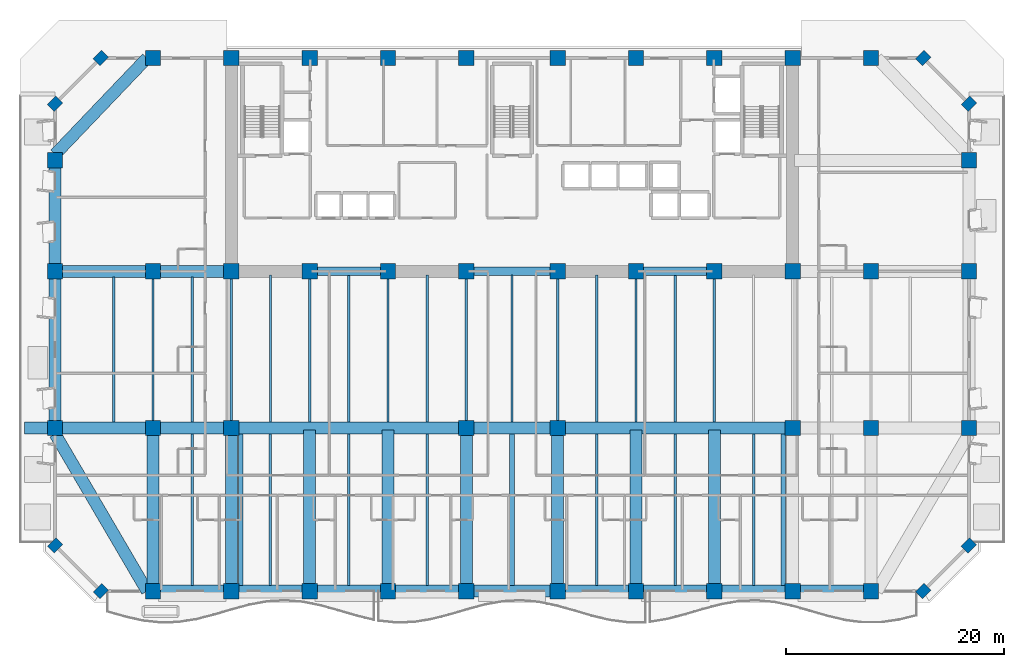
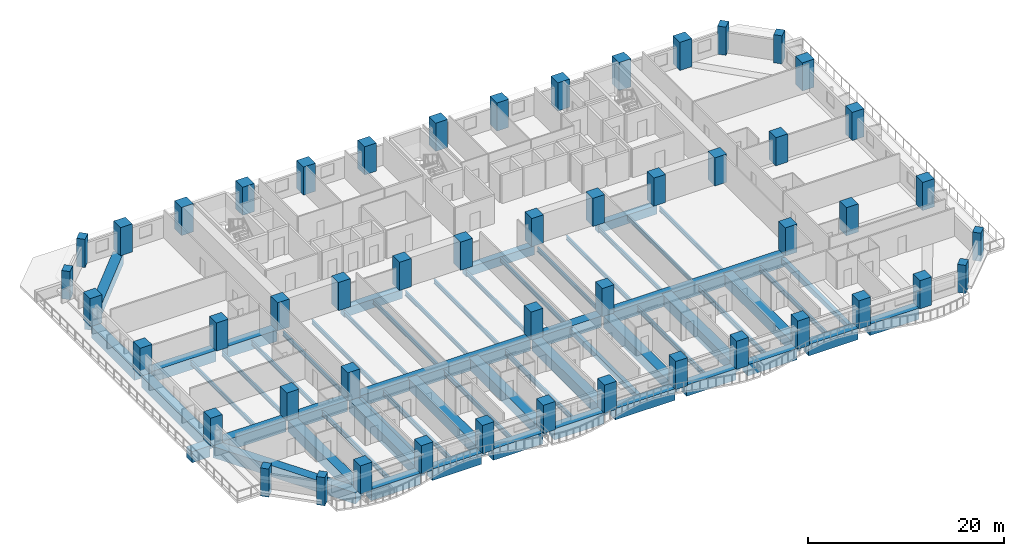
# One storey, part 1 of 17: 58 beams, 50 columns.
"""IFC4 building model written with IfcOpenShell, lengths in metres."""

import ifcopenshell
import ifcopenshell.guid

model = None  # the IFC model being written
_history = None  # IfcOwnerHistory: only IFC2X3 demands one
_inside = {}  # id of a spatial element -> (the spatial element, [elements in it])
_under = {}  # id of a project, library or spatial element -> (it, [spatial elements below it])
_declared = {}  # id of a project -> (the project, [libraries it declares])
_typed = {}  # id of a type object -> (the type object, [elements of that type])
_made_of = {}  # id of a material, layer set ... -> (it, [elements and type objects made of it])


def new_model(schema):
    """Start an empty IFC model of exactly this schema.

    Asked for "IFC4X3", IfcOpenShell would pick the latest addendum, in which some entities
    have other attributes; the version numbers below select the first issue.
    IFC2X3 requires an IfcOwnerHistory on every rooted entity: one is made here for all.
    """
    global model, _history
    if schema == "IFC4X3":
        model = ifcopenshell.file(schema_version=(4, 3, 0, 0))
    else:
        model = ifcopenshell.file(schema=schema)
    _inside.clear()
    _under.clear()
    _declared.clear()
    _typed.clear()
    _made_of.clear()
    _history = None
    if model.schema == "IFC2X3":
        org = make("IfcOrganization", Name="unknown")
        user = make(
            "IfcPersonAndOrganization",
            ThePerson=make("IfcPerson", FamilyName="unknown"),
            TheOrganization=org,
        )
        app = make(
            "IfcApplication",
            ApplicationDeveloper=org,
            Version="unknown",
            ApplicationFullName="unknown",
            ApplicationIdentifier="unknown",
        )
        _history = make(
            "IfcOwnerHistory",
            OwningUser=user,
            OwningApplication=app,
            ChangeAction="ADDED",
            CreationDate=0,
        )
    return model


def make(cls, **values):
    """One entity of the class cls with the attributes given. An attribute that is None is left unset."""
    return model.create_entity(
        cls, **{name: value for name, value in values.items() if value is not None}
    )


def rooted(cls, **values):
    """An entity with a GlobalId (a new one), such as an element, a storey or a relation."""
    return make(cls, GlobalId=ifcopenshell.guid.new(), OwnerHistory=_history, **values)


def si_unit(unit_type, name, prefix=None):
    """IfcSIUnit, for example si_unit("LENGTHUNIT", "METRE", prefix="MILLI")."""
    return make("IfcSIUnit", UnitType=unit_type, Prefix=prefix, Name=name)


def assignment(units):
    """IfcUnitAssignment: the units of a project."""
    return None if units is None else make("IfcUnitAssignment", Units=units)


def point(xyz):
    """IfcCartesianPoint."""
    return None if xyz is None else make("IfcCartesianPoint", Coordinates=xyz)


def direction(xyz):
    """IfcDirection."""
    return None if xyz is None else make("IfcDirection", DirectionRatios=xyz)


def frame(location, z_axis=None, x_axis=None):
    """IfcAxis2Placement3D, a coordinate frame: its origin and axes. An axis left out is left unset."""
    return make(
        "IfcAxis2Placement3D",
        Location=point(location),
        Axis=direction(z_axis),
        RefDirection=direction(x_axis),
    )


def frame_2d(location, x_axis=None):
    """IfcAxis2Placement2D, a coordinate frame in the plane: its origin and x axis."""
    return make(
        "IfcAxis2Placement2D", Location=point(location), RefDirection=direction(x_axis)
    )


def origin():
    """The frame at (0, 0, 0) with its axes left unset."""
    return frame((0.0, 0.0, 0.0))


def origin_2d():
    """The frame at (0, 0) in the plane with its x axis left unset."""
    return frame_2d((0.0, 0.0))


def place(relative_to, where):
    """IfcLocalPlacement: puts the frame where relative to a parent placement (None: the world)."""
    return make(
        "IfcLocalPlacement", PlacementRelTo=relative_to, RelativePlacement=where
    )


def context(
    kind, dimensions, precision=None, world=None, true_north=None, identifier=None
):
    """IfcGeometricRepresentationContext, for example the 3D "Model" context."""
    return make(
        "IfcGeometricRepresentationContext",
        ContextIdentifier=identifier,
        ContextType=kind,
        CoordinateSpaceDimension=dimensions,
        Precision=precision,
        WorldCoordinateSystem=world,
        TrueNorth=true_north,
    )


def subcontext(parent, identifier, kind, view, scale=None):
    """IfcGeometricRepresentationSubContext, for example "Body" below "Model"."""
    return make(
        "IfcGeometricRepresentationSubContext",
        ContextIdentifier=identifier,
        ContextType=kind,
        ParentContext=parent,
        TargetScale=scale,
        TargetView=view,
    )


def project(units=None, contexts=None):
    """IfcProject with its units and contexts."""
    return rooted(
        "IfcProject",
        Name="project",
        RepresentationContexts=contexts,
        UnitsInContext=assignment(units),
    )


def spatial(cls, under=None, at=None, **own):
    """A site, building, storey or space (cls), placed at a placement, below another one or the project."""
    s = rooted(cls, ObjectPlacement=at, **own)
    if under is not None:
        _under.setdefault(under.id(), (under, []))[1].append(s)
    return s


def profile(cls, at=None, kind="AREA", **sizes):
    """A parametric profile (cls). Its sizes go by their IFC names, for example OverallWidth=200.0."""
    return make(cls, ProfileType=kind, Position=at, **sizes)


def rectangle(**sizes):
    """IfcRectangleProfileDef."""
    return profile("IfcRectangleProfileDef", **sizes)


def i_section(**sizes):
    """IfcIShapeProfileDef."""
    return profile("IfcIShapeProfileDef", **sizes)


def extrude(swept, where, along, depth):
    """IfcExtrudedAreaSolid: the profile swept, set in the frame where, extruded along a direction by depth."""
    return make(
        "IfcExtrudedAreaSolid",
        SweptArea=swept,
        Position=where,
        ExtrudedDirection=direction(along),
        Depth=depth,
    )


def shape(context_of_items, identifier, shape_type, items):
    """IfcShapeRepresentation: the items that make up one representation, for example the "Body"."""
    return make(
        "IfcShapeRepresentation",
        ContextOfItems=context_of_items,
        RepresentationIdentifier=identifier,
        RepresentationType=shape_type,
        Items=items,
    )


def material(Name=None, Category=None):
    """IfcMaterial."""
    return make("IfcMaterial", Name=Name, Category=Category)


def material_profile(
    of_material, cross_section, Name=None, Category=None, Priority=None
):
    """IfcMaterialProfile: a cross section and its material."""
    return make(
        "IfcMaterialProfile",
        Name=Name,
        Material=of_material,
        Profile=cross_section,
        Priority=Priority,
        Category=Category,
    )


def profile_set(profiles, Name=None, composite=None):
    """IfcMaterialProfileSet."""
    return make(
        "IfcMaterialProfileSet",
        Name=Name,
        MaterialProfiles=profiles,
        CompositeProfile=composite,
    )


def made_of(thing, what):
    """Note that an element or type object is made of a material, layer set ...; save() writes the relation."""
    if what is not None:
        _made_of.setdefault(what.id(), (what, []))[1].append(thing)
    return thing


def type_object(cls, material=None, **own):
    """A type object (cls), such as IfcWallType, which elements share."""
    return made_of(rooted(cls, **own), material)


def element(
    cls,
    number,
    at=None,
    inside=None,
    cuts=None,
    type_object=None,
    material=None,
    context=None,
    identifier="Body",
    shape_type=None,
    held_by="IfcProductDefinitionShape",
    body=None,
    shapes=None,
    **own,
):
    """One element of the class cls, such as IfcWall. Its Tag is "e" and its number.

    at: its placement. inside: the storey or other place that contains it. cuts: it is an
    opening in that element (IfcRelVoidsElement). A single representation is given by context,
    identifier, shape_type and body (its items); several are given by shapes. held_by: the class
    of the entity that holds the representations. save() writes the other relations.
    """
    e = rooted(cls, Tag="e%d" % number, ObjectPlacement=at, **own)
    if body is not None:
        shapes = [shape(context, identifier, shape_type, body)]
    if shapes is not None:
        e.Representation = make(held_by, Representations=shapes)
    if inside is not None:
        _inside.setdefault(inside.id(), (inside, []))[1].append(e)
    if cuts is not None:
        rooted(
            "IfcRelVoidsElement", RelatingBuildingElement=cuts, RelatedOpeningElement=e
        )
    if type_object is not None:
        _typed.setdefault(type_object.id(), (type_object, []))[1].append(e)
    return made_of(e, material)


def aggregate(whole, parts):
    """IfcRelAggregates: a whole, such as a stair, and the parts it consists of."""
    return rooted("IfcRelAggregates", RelatingObject=whole, RelatedObjects=parts)


def save(model, path):
    """Write the relations noted so far, then the file.

    IfcRelAggregates (storeys below a building ...), IfcRelContainedInSpatialStructure (elements
    in a storey), IfcRelDefinesByType, IfcRelAssociatesMaterial and IfcRelDeclares: one each for
    every whole, place, type object, material and project.
    """
    for whole, parts in _under.values():
        aggregate(whole, parts)
    for where, things in _inside.values():
        rooted(
            "IfcRelContainedInSpatialStructure",
            RelatedElements=things,
            RelatingStructure=where,
        )
    for kind, things in _typed.values():
        rooted("IfcRelDefinesByType", RelatedObjects=things, RelatingType=kind)
    for what, things in _made_of.values():
        rooted("IfcRelAssociatesMaterial", RelatedObjects=things, RelatingMaterial=what)
    for by, libraries in _declared.values():
        rooted("IfcRelDeclares", RelatingContext=by, RelatedDefinitions=libraries)
    model.write(path)


model = new_model("IFC4")

# Units and contexts
model_context = context("Model", 3, precision=1e-05, world=origin(), true_north=direction((0.0, 1.0)))
body_context = subcontext(model_context, "Body", "Model", "MODEL_VIEW")
ifc_project = project(units=[si_unit("LENGTHUNIT", "METRE"), si_unit("AREAUNIT", "SQUARE_METRE"), si_unit("VOLUMEUNIT", "CUBIC_METRE"), si_unit("PLANEANGLEUNIT", "RADIAN"), si_unit("MASSUNIT", "GRAM", prefix="KILO")], contexts=[model_context])

# Site, building, storey
site_placement = place(None, origin())
site = spatial("IfcSite", under=ifc_project, at=site_placement, CompositionType="ELEMENT")
building_placement = place(site_placement, origin())
building = spatial("IfcBuilding", under=site, at=building_placement, Name="Kaelvorn Grand Hotel", CompositionType="ELEMENT")
storey_placement = place(building_placement, frame((0.0, 0.0, 31.39990234375)))
storey = spatial("IfcBuildingStorey", under=building, at=storey_placement, Name="L05", CompositionType="ELEMENT", Elevation=31.39990234375)

# Columns
ifc_material_1 = material(Name="Concrete C80/95", Category="concrete")
ifc_material_profile_1 = material_profile(ifc_material_1, rectangle(XDim=1.10009765625, YDim=0.89990234375, at=origin_2d()), Name="RC PILASTER 1100x900")
ifc_profile_set_1 = profile_set([ifc_material_profile_1], Name="Concrete C80/95")
column_type_1 = type_object("IfcColumnType", Name="COL-PIL-1100x900-C80", PredefinedType="PILASTER", material=ifc_profile_set_1)
for number, where, z_axis, x_axis, name in (
    (1, (4.199951171875, 0.0, 0.0), (0.0, 0.0, 1.0), (0.707106781187, 0.707106781187, 0.0), "L05 Structural Column CH-01"),
    (2, (79.800048828125, 0.0, 0.0), (0.0, 0.0, 1.0), (0.707106781187, 0.707106781187, 0.0), "L05 Structural Column CH-02"),
    (3, (84.0, 4.199951171875, 0.0), (0.0, 0.0, 1.0), (0.707106781187, 0.707106781187, 0.0), "L05 Structural Column CH-03"),
    (4, (84.0, 44.800048828125, 0.0), (0.0, 0.0, 1.0), (0.707106781187, 0.707106781187, 0.0), "L05 Structural Column CH-04"),
    (5, (79.800048828125, 49.0, 0.0), (0.0, 0.0, 1.0), (0.707106781187, 0.707106781187, 0.0), "L05 Structural Column CH-05"),
    (6, (4.199951171875, 49.0, 0.0), (0.0, 0.0, 1.0), (0.707106781187, 0.707106781187, 0.0), "L05 Structural Column CH-06"),
    (7, (0.0, 44.800048828125, 0.0), (0.0, 0.0, 1.0), (0.707106781187, 0.707106781187, 0.0), "L05 Structural Column CH-07"),
    (8, (0.0, 4.199951171875, 0.0), (0.0, 0.0, 1.0), (0.707106781187, 0.707106781187, 0.0), "L05 Structural Column CH-08"),
):
    element("IfcColumn", number, at=place(storey_placement, frame(where, z_axis=z_axis, x_axis=x_axis)), inside=storey, type_object=column_type_1, Name=name, PredefinedType="PILASTER", context=body_context, shape_type="SweptSolid", body=[
        extrude(rectangle(XDim=1.10009765625, YDim=0.89990234375, at=origin_2d()), origin(), (0.0, 0.0, 1.0), 3.510009765625),
    ])
ifc_material_profile_2 = material_profile(ifc_material_1, rectangle(XDim=1.39990234375, YDim=1.39990234375, at=origin_2d()), Name="RC COL 1400x1400")
ifc_profile_set_2 = profile_set([ifc_material_profile_2], Name="Concrete C80/95")
column_type_2 = type_object("IfcColumnType", Name="COL-RC-1400-C80", PredefinedType="COLUMN", material=ifc_profile_set_2)
for number, where, z_axis, x_axis, name in (
    (9, (9.0, 0.0, 0.0), (0.0, 0.0, 1.0), (1.0, 0.0, 0.0), "L05 Structural Column S-01"),
    (10, (16.199951171875, 0.0, 0.0), (0.0, 0.0, 1.0), (1.0, 0.0, 0.0), "L05 Structural Column S-02"),
    (11, (23.39990234375, 0.0, 0.0), (0.0, 0.0, 1.0), (1.0, 0.0, 0.0), "L05 Structural Column S-03"),
    (12, (30.60009765625, 0.0, 0.0), (0.0, 0.0, 1.0), (1.0, 0.0, 0.0), "L05 Structural Column S-04"),
    (13, (37.800048828125, 0.0, 0.0), (0.0, 0.0, 1.0), (1.0, 0.0, 0.0), "L05 Structural Column S-05"),
    (14, (46.199951171875, 0.0, 0.0), (0.0, 0.0, 1.0), (1.0, 0.0, 0.0), "L05 Structural Column S-06"),
    (15, (53.39990234375, 0.0, 0.0), (0.0, 0.0, 1.0), (1.0, 0.0, 0.0), "L05 Structural Column S-07"),
    (16, (60.60009765625, 0.0, 0.0), (0.0, 0.0, 1.0), (1.0, 0.0, 0.0), "L05 Structural Column S-08"),
    (17, (67.800048828125, 0.0, 0.0), (0.0, 0.0, 1.0), (1.0, 0.0, 0.0), "L05 Structural Column S-09"),
    (18, (75.0, 0.0, 0.0), (0.0, 0.0, 1.0), (1.0, 0.0, 0.0), "L05 Structural Column S-10"),
    (19, (0.0, 15.0, 0.0), (0.0, 0.0, 1.0), (1.0, 0.0, 0.0), "L05 Structural Column W-01"),
    (20, (84.0, 15.0, 0.0), (0.0, 0.0, 1.0), (1.0, 0.0, 0.0), "L05 Structural Column E-01"),
    (21, (0.0, 29.39990234375, 0.0), (0.0, 0.0, 1.0), (1.0, 0.0, 0.0), "L05 Structural Column W-02"),
    (22, (84.0, 29.39990234375, 0.0), (0.0, 0.0, 1.0), (1.0, 0.0, 0.0), "L05 Structural Column E-02"),
    (23, (0.0, 39.60009765625, 0.0), (0.0, 0.0, 1.0), (1.0, 0.0, 0.0), "L05 Structural Column W-03"),
    (24, (84.0, 39.60009765625, 0.0), (0.0, 0.0, 1.0), (1.0, 0.0, 0.0), "L05 Structural Column E-03"),
    (25, (9.0, 15.0, 0.0), (0.0, 0.0, 1.0), (1.0, 0.0, 0.0), "L05 Structural Column M-01"),
    (26, (16.199951171875, 15.0, 0.0), (0.0, 0.0, 1.0), (1.0, 0.0, 0.0), "L05 Structural Column M-02"),
    (27, (37.800048828125, 15.0, 0.0), (0.0, 0.0, 1.0), (1.0, 0.0, 0.0), "L05 Structural Column M-03"),
    (28, (46.199951171875, 15.0, 0.0), (0.0, 0.0, 1.0), (1.0, 0.0, 0.0), "L05 Structural Column M-04"),
    (29, (67.800048828125, 15.0, 0.0), (0.0, 0.0, 1.0), (1.0, 0.0, 0.0), "L05 Structural Column M-05"),
    (30, (75.0, 15.0, 0.0), (0.0, 0.0, 1.0), (1.0, 0.0, 0.0), "L05 Structural Column M-06"),
    (31, (9.0, 29.39990234375, 0.0), (0.0, 0.0, 1.0), (1.0, 0.0, 0.0), "L05 Structural Column CR1-01"),
    (32, (9.0, 49.0, 0.0), (0.0, 0.0, 1.0), (1.0, 0.0, 0.0), "L05 Structural Column CR2-01"),
    (33, (16.199951171875, 29.39990234375, 0.0), (0.0, 0.0, 1.0), (1.0, 0.0, 0.0), "L05 Structural Column CR1-02"),
    (34, (16.199951171875, 49.0, 0.0), (0.0, 0.0, 1.0), (1.0, 0.0, 0.0), "L05 Structural Column CR2-02"),
    (35, (23.39990234375, 29.39990234375, 0.0), (0.0, 0.0, 1.0), (1.0, 0.0, 0.0), "L05 Structural Column CR1-03"),
    (36, (23.39990234375, 49.0, 0.0), (0.0, 0.0, 1.0), (1.0, 0.0, 0.0), "L05 Structural Column CR2-03"),
    (37, (30.60009765625, 29.39990234375, 0.0), (0.0, 0.0, 1.0), (1.0, 0.0, 0.0), "L05 Structural Column CR1-04"),
    (38, (30.60009765625, 49.0, 0.0), (0.0, 0.0, 1.0), (1.0, 0.0, 0.0), "L05 Structural Column CR2-04"),
    (39, (37.800048828125, 29.39990234375, 0.0), (0.0, 0.0, 1.0), (1.0, 0.0, 0.0), "L05 Structural Column CR1-05"),
    (40, (37.800048828125, 49.0, 0.0), (0.0, 0.0, 1.0), (1.0, 0.0, 0.0), "L05 Structural Column CR2-05"),
    (41, (46.199951171875, 29.39990234375, 0.0), (0.0, 0.0, 1.0), (1.0, 0.0, 0.0), "L05 Structural Column CR1-06"),
    (42, (46.199951171875, 49.0, 0.0), (0.0, 0.0, 1.0), (1.0, 0.0, 0.0), "L05 Structural Column CR2-06"),
    (43, (53.39990234375, 29.39990234375, 0.0), (0.0, 0.0, 1.0), (1.0, 0.0, 0.0), "L05 Structural Column CR1-07"),
    (44, (53.39990234375, 49.0, 0.0), (0.0, 0.0, 1.0), (1.0, 0.0, 0.0), "L05 Structural Column CR2-07"),
    (45, (60.60009765625, 29.39990234375, 0.0), (0.0, 0.0, 1.0), (1.0, 0.0, 0.0), "L05 Structural Column CR1-08"),
    (46, (60.60009765625, 49.0, 0.0), (0.0, 0.0, 1.0), (1.0, 0.0, 0.0), "L05 Structural Column CR2-08"),
    (47, (67.800048828125, 29.39990234375, 0.0), (0.0, 0.0, 1.0), (1.0, 0.0, 0.0), "L05 Structural Column CR1-09"),
    (48, (67.800048828125, 49.0, 0.0), (0.0, 0.0, 1.0), (1.0, 0.0, 0.0), "L05 Structural Column CR2-09"),
    (49, (75.0, 29.39990234375, 0.0), (0.0, 0.0, 1.0), (1.0, 0.0, 0.0), "L05 Structural Column CR1-10"),
    (50, (75.0, 49.0, 0.0), (0.0, 0.0, 1.0), (1.0, 0.0, 0.0), "L05 Structural Column CR2-10"),
):
    element("IfcColumn", number, at=place(storey_placement, frame(where, z_axis=z_axis, x_axis=x_axis)), inside=storey, type_object=column_type_2, Name=name, PredefinedType="COLUMN", context=body_context, shape_type="SweptSolid", body=[
        extrude(rectangle(XDim=1.39990234375, YDim=1.39990234375, at=origin_2d()), origin(), (0.0, 0.0, 1.0), 3.510009765625),
    ])

# Beams
ifc_material_2 = material(Name="Steel S355", Category="steel")
ifc_material_profile_3 = material_profile(ifc_material_2, i_section(OverallWidth=0.209228515625, OverallDepth=0.533203125, WebThickness=0.010009765625, FlangeThickness=0.015625, FilletRadius=0.0126953125, at=origin_2d()), Name="UB 533x210x92")
ifc_profile_set_3 = profile_set([ifc_material_profile_3], Name="Steel S355")
beam_type_1 = type_object("IfcBeamType", Name="BM-J-UB533-S355", PredefinedType="JOIST", material=ifc_profile_set_3)
beam_1_placement = place(storey_placement, frame((5.39990234375, 15.534912109375, -0.50634765625), z_axis=(0.0, 1.0, 0.0), x_axis=(-1.0, 0.0, 0.0)))
element("IfcBeam", 51, at=beam_1_placement, inside=storey, type_object=beam_type_1, Name="L05 Composite Floor Joist JM-02", PredefinedType="JOIST", context=body_context, shape_type="SweptSolid", body=[
    extrude(i_section(OverallWidth=0.209228515625, OverallDepth=0.533203125, WebThickness=0.010009765625, FlangeThickness=0.015625, FilletRadius=0.0126953125, at=origin_2d()), origin(), (0.0, 0.0, 1.0), 13.330078125),
])
beam_2_placement = place(storey_placement, frame((9.0, 15.68505859375, -0.50634765625), z_axis=(0.0, 1.0, 0.0), x_axis=(-1.0, 0.0, 0.0)))
element("IfcBeam", 52, at=beam_2_placement, inside=storey, type_object=beam_type_1, Name="L05 Composite Floor Joist JM-03", PredefinedType="JOIST", context=body_context, shape_type="SweptSolid", body=[
    extrude(i_section(OverallWidth=0.209228515625, OverallDepth=0.533203125, WebThickness=0.010009765625, FlangeThickness=0.015625, FilletRadius=0.0126953125, at=origin_2d()), origin(), (0.0, 0.0, 1.0), 13.030029296875),
])
beam_3_placement = place(storey_placement, frame((12.60009765625, 15.534912109375, -0.50634765625), z_axis=(0.0, 1.0, 0.0), x_axis=(-1.0, 0.0, 0.0)))
element("IfcBeam", 53, at=beam_3_placement, inside=storey, type_object=beam_type_1, Name="L05 Composite Floor Joist JM-04", PredefinedType="JOIST", context=body_context, shape_type="SweptSolid", body=[
    extrude(i_section(OverallWidth=0.209228515625, OverallDepth=0.533203125, WebThickness=0.010009765625, FlangeThickness=0.015625, FilletRadius=0.0126953125, at=origin_2d()), origin(), (0.0, 0.0, 1.0), 13.330078125),
])
beam_4_placement = place(storey_placement, frame((16.199951171875, 15.68505859375, -0.50634765625), z_axis=(0.0, 1.0, 0.0), x_axis=(-1.0, 0.0, 0.0)))
element("IfcBeam", 54, at=beam_4_placement, inside=storey, type_object=beam_type_1, Name="L05 Composite Floor Joist JM-05", PredefinedType="JOIST", context=body_context, shape_type="SweptSolid", body=[
    extrude(i_section(OverallWidth=0.209228515625, OverallDepth=0.533203125, WebThickness=0.010009765625, FlangeThickness=0.015625, FilletRadius=0.0126953125, at=origin_2d()), origin(), (0.0, 0.0, 1.0), 13.030029296875),
])
beam_5_placement = place(storey_placement, frame((19.800048828125, 15.534912109375, -0.50634765625), z_axis=(0.0, 1.0, 0.0), x_axis=(-1.0, 0.0, 0.0)))
element("IfcBeam", 55, at=beam_5_placement, inside=storey, type_object=beam_type_1, Name="L05 Composite Floor Joist JM-06", PredefinedType="JOIST", context=body_context, shape_type="SweptSolid", body=[
    extrude(i_section(OverallWidth=0.209228515625, OverallDepth=0.533203125, WebThickness=0.010009765625, FlangeThickness=0.015625, FilletRadius=0.0126953125, at=origin_2d()), origin(), (0.0, 0.0, 1.0), 13.525146484375),
])
beam_6_placement = place(storey_placement, frame((23.39990234375, 15.534912109375, -0.50634765625), z_axis=(0.0, 1.0, 0.0), x_axis=(-1.0, 0.0, 0.0)))
element("IfcBeam", 56, at=beam_6_placement, inside=storey, type_object=beam_type_1, Name="L05 Composite Floor Joist JM-07", PredefinedType="JOIST", context=body_context, shape_type="SweptSolid", body=[
    extrude(i_section(OverallWidth=0.209228515625, OverallDepth=0.533203125, WebThickness=0.010009765625, FlangeThickness=0.015625, FilletRadius=0.0126953125, at=origin_2d()), origin(), (0.0, 0.0, 1.0), 13.18017578125),
])
beam_7_placement = place(storey_placement, frame((27.0, 15.534912109375, -0.50634765625), z_axis=(0.0, 1.0, 0.0), x_axis=(-1.0, 0.0, 0.0)))
element("IfcBeam", 57, at=beam_7_placement, inside=storey, type_object=beam_type_1, Name="L05 Composite Floor Joist JM-08", PredefinedType="JOIST", context=body_context, shape_type="SweptSolid", body=[
    extrude(i_section(OverallWidth=0.209228515625, OverallDepth=0.533203125, WebThickness=0.010009765625, FlangeThickness=0.015625, FilletRadius=0.0126953125, at=origin_2d()), origin(), (0.0, 0.0, 1.0), 13.525146484375),
])
beam_8_placement = place(storey_placement, frame((30.60009765625, 15.534912109375, -0.50634765625), z_axis=(0.0, 1.0, 0.0), x_axis=(-1.0, 0.0, 0.0)))
element("IfcBeam", 58, at=beam_8_placement, inside=storey, type_object=beam_type_1, Name="L05 Composite Floor Joist JM-09", PredefinedType="JOIST", context=body_context, shape_type="SweptSolid", body=[
    extrude(i_section(OverallWidth=0.209228515625, OverallDepth=0.533203125, WebThickness=0.010009765625, FlangeThickness=0.015625, FilletRadius=0.0126953125, at=origin_2d()), origin(), (0.0, 0.0, 1.0), 13.18017578125),
])
beam_9_placement = place(storey_placement, frame((34.199951171875, 15.534912109375, -0.50634765625), z_axis=(0.0, 1.0, 0.0), x_axis=(-1.0, 0.0, 0.0)))
element("IfcBeam", 59, at=beam_9_placement, inside=storey, type_object=beam_type_1, Name="L05 Composite Floor Joist JM-10", PredefinedType="JOIST", context=body_context, shape_type="SweptSolid", body=[
    extrude(i_section(OverallWidth=0.209228515625, OverallDepth=0.533203125, WebThickness=0.010009765625, FlangeThickness=0.015625, FilletRadius=0.0126953125, at=origin_2d()), origin(), (0.0, 0.0, 1.0), 13.525146484375),
])
beam_10_placement = place(storey_placement, frame((37.800048828125, 15.68505859375, -0.50634765625), z_axis=(0.0, 1.0, 0.0), x_axis=(-1.0, 0.0, 0.0)))
element("IfcBeam", 60, at=beam_10_placement, inside=storey, type_object=beam_type_1, Name="L05 Composite Floor Joist JM-11", PredefinedType="JOIST", context=body_context, shape_type="SweptSolid", body=[
    extrude(i_section(OverallWidth=0.209228515625, OverallDepth=0.533203125, WebThickness=0.010009765625, FlangeThickness=0.015625, FilletRadius=0.0126953125, at=origin_2d()), origin(), (0.0, 0.0, 1.0), 13.030029296875),
])
beam_11_placement = place(storey_placement, frame((42.0, 15.534912109375, -0.50634765625), z_axis=(0.0, 1.0, 0.0), x_axis=(-1.0, 0.0, 0.0)))
element("IfcBeam", 61, at=beam_11_placement, inside=storey, type_object=beam_type_1, Name="L05 Composite Floor Joist JM-12", PredefinedType="JOIST", context=body_context, shape_type="SweptSolid", body=[
    extrude(i_section(OverallWidth=0.209228515625, OverallDepth=0.533203125, WebThickness=0.010009765625, FlangeThickness=0.015625, FilletRadius=0.0126953125, at=origin_2d()), origin(), (0.0, 0.0, 1.0), 13.525146484375),
])
beam_12_placement = place(storey_placement, frame((46.199951171875, 15.68505859375, -0.50634765625), z_axis=(0.0, 1.0, 0.0), x_axis=(-1.0, 0.0, 0.0)))
element("IfcBeam", 62, at=beam_12_placement, inside=storey, type_object=beam_type_1, Name="L05 Composite Floor Joist JM-13", PredefinedType="JOIST", context=body_context, shape_type="SweptSolid", body=[
    extrude(i_section(OverallWidth=0.209228515625, OverallDepth=0.533203125, WebThickness=0.010009765625, FlangeThickness=0.015625, FilletRadius=0.0126953125, at=origin_2d()), origin(), (0.0, 0.0, 1.0), 13.030029296875),
])
beam_13_placement = place(storey_placement, frame((49.800048828125, 15.534912109375, -0.50634765625), z_axis=(0.0, 1.0, 0.0), x_axis=(-1.0, 0.0, 0.0)))
element("IfcBeam", 63, at=beam_13_placement, inside=storey, type_object=beam_type_1, Name="L05 Composite Floor Joist JM-14", PredefinedType="JOIST", context=body_context, shape_type="SweptSolid", body=[
    extrude(i_section(OverallWidth=0.209228515625, OverallDepth=0.533203125, WebThickness=0.010009765625, FlangeThickness=0.015625, FilletRadius=0.0126953125, at=origin_2d()), origin(), (0.0, 0.0, 1.0), 13.525146484375),
])
beam_14_placement = place(storey_placement, frame((53.39990234375, 15.534912109375, -0.50634765625), z_axis=(0.0, 1.0, 0.0), x_axis=(-1.0, 0.0, 0.0)))
element("IfcBeam", 64, at=beam_14_placement, inside=storey, type_object=beam_type_1, Name="L05 Composite Floor Joist JM-15", PredefinedType="JOIST", context=body_context, shape_type="SweptSolid", body=[
    extrude(i_section(OverallWidth=0.209228515625, OverallDepth=0.533203125, WebThickness=0.010009765625, FlangeThickness=0.015625, FilletRadius=0.0126953125, at=origin_2d()), origin(), (0.0, 0.0, 1.0), 13.18017578125),
])
beam_15_placement = place(storey_placement, frame((57.0, 15.534912109375, -0.50634765625), z_axis=(0.0, 1.0, 0.0), x_axis=(-1.0, 0.0, 0.0)))
element("IfcBeam", 65, at=beam_15_placement, inside=storey, type_object=beam_type_1, Name="L05 Composite Floor Joist JM-16", PredefinedType="JOIST", context=body_context, shape_type="SweptSolid", body=[
    extrude(i_section(OverallWidth=0.209228515625, OverallDepth=0.533203125, WebThickness=0.010009765625, FlangeThickness=0.015625, FilletRadius=0.0126953125, at=origin_2d()), origin(), (0.0, 0.0, 1.0), 13.525146484375),
])
beam_16_placement = place(storey_placement, frame((60.60009765625, 15.534912109375, -0.50634765625), z_axis=(0.0, 1.0, 0.0), x_axis=(-1.0, 0.0, 0.0)))
element("IfcBeam", 66, at=beam_16_placement, inside=storey, type_object=beam_type_1, Name="L05 Composite Floor Joist JM-17", PredefinedType="JOIST", context=body_context, shape_type="SweptSolid", body=[
    extrude(i_section(OverallWidth=0.209228515625, OverallDepth=0.533203125, WebThickness=0.010009765625, FlangeThickness=0.015625, FilletRadius=0.0126953125, at=origin_2d()), origin(), (0.0, 0.0, 1.0), 13.18017578125),
])
ifc_material_profile_4 = material_profile(ifc_material_2, i_section(OverallWidth=0.22900390625, OverallDepth=0.6123046875, WebThickness=0.011962890625, FlangeThickness=0.01953125, FilletRadius=0.0126953125, at=origin_2d()), Name="UB 610x229x125")
ifc_profile_set_4 = profile_set([ifc_material_profile_4], Name="Steel S355")
beam_type_2 = type_object("IfcBeamType", Name="BM-J-UB610-S355", PredefinedType="JOIST", material=ifc_profile_set_4)
for number, where, z_axis, x_axis, name in (
    (67, (12.60009765625, 0.534912109375, -0.5458984375), (0.0, 1.0, 0.0), (-1.0, 0.0, 0.0), "L05 Composite Floor Joist JS-04"),
    (68, (19.800048828125, 0.534912109375, -0.5458984375), (0.0, 1.0, 0.0), (-1.0, 0.0, 0.0), "L05 Composite Floor Joist JS-06"),
    (69, (27.0, 0.534912109375, -0.5458984375), (0.0, 1.0, 0.0), (-1.0, 0.0, 0.0), "L05 Composite Floor Joist JS-08"),
    (70, (34.199951171875, 0.534912109375, -0.5458984375), (0.0, 1.0, 0.0), (-1.0, 0.0, 0.0), "L05 Composite Floor Joist JS-10"),
    (71, (49.800048828125, 0.534912109375, -0.5458984375), (0.0, 1.0, 0.0), (-1.0, 0.0, 0.0), "L05 Composite Floor Joist JS-14"),
    (72, (57.0, 0.534912109375, -0.5458984375), (0.0, 1.0, 0.0), (-1.0, 0.0, 0.0), "L05 Composite Floor Joist JS-16"),
    (73, (64.199951171875, 0.534912109375, -0.5458984375), (0.0, 1.0, 0.0), (-1.0, 0.0, 0.0), "L05 Composite Floor Joist JS-18"),
):
    element("IfcBeam", number, at=place(storey_placement, frame(where, z_axis=z_axis, x_axis=x_axis)), inside=storey, type_object=beam_type_2, Name=name, PredefinedType="JOIST", context=body_context, shape_type="SweptSolid", body=[
        extrude(i_section(OverallWidth=0.22900390625, OverallDepth=0.6123046875, WebThickness=0.011962890625, FlangeThickness=0.01953125, FilletRadius=0.0126953125, at=origin_2d()), origin(), (0.0, 0.0, 1.0), 13.93017578125),
    ])
ifc_material_3 = material(Name="Concrete C60/75", Category="concrete")
ifc_material_profile_5 = material_profile(ifc_material_3, rectangle(XDim=0.800048828125, YDim=1.10009765625, at=origin_2d()), Name="RC LINTEL 800x1100")
ifc_profile_set_5 = profile_set([ifc_material_profile_5], Name="Concrete C60/75")
beam_type_3 = type_object("IfcBeamType", Name="BM-LIN-800x1100-C60", PredefinedType="LINTEL", material=ifc_profile_set_5)
beam_17_placement = place(storey_placement, frame((23.580078125, 29.39990234375, -0.789794921875), z_axis=(1.0, 0.0, 0.0), x_axis=(0.0, 1.0, 0.0)))
element("IfcBeam", 74, at=beam_17_placement, inside=storey, type_object=beam_type_3, Name="L05 Rear-Core Coupling Lintel Beam CB1-01", PredefinedType="LINTEL", context=body_context, shape_type="SweptSolid", body=[
    extrude(rectangle(XDim=0.800048828125, YDim=1.10009765625, at=origin_2d()), origin(), (0.0, 0.0, 1.0), 6.83984375),
])
beam_18_placement = place(storey_placement, frame((37.97998046875, 29.39990234375, -0.789794921875), z_axis=(1.0, 0.0, 0.0), x_axis=(0.0, 1.0, 0.0)))
element("IfcBeam", 75, at=beam_18_placement, inside=storey, type_object=beam_type_3, Name="L05 Rear-Core Coupling Lintel Beam CB1-02", PredefinedType="LINTEL", context=body_context, shape_type="SweptSolid", body=[
    extrude(rectangle(XDim=0.800048828125, YDim=1.10009765625, at=origin_2d()), origin(), (0.0, 0.0, 1.0), 8.0400390625),
])
beam_19_placement = place(storey_placement, frame((53.580078125, 29.39990234375, -0.789794921875), z_axis=(1.0, 0.0, 0.0), x_axis=(0.0, 1.0, 0.0)))
element("IfcBeam", 76, at=beam_19_placement, inside=storey, type_object=beam_type_3, Name="L05 Rear-Core Coupling Lintel Beam CB1-03", PredefinedType="LINTEL", context=body_context, shape_type="SweptSolid", body=[
    extrude(rectangle(XDim=0.800048828125, YDim=1.10009765625, at=origin_2d()), origin(), (0.0, 0.0, 1.0), 6.83984375),
])
ifc_material_4 = material(Name="Concrete C40/50", Category="concrete")
ifc_material_profile_6 = material_profile(ifc_material_4, rectangle(XDim=0.449951171875, YDim=0.64990234375, at=origin_2d()), Name="RC RIB 450x650")
ifc_profile_set_6 = profile_set([ifc_material_profile_6], Name="Concrete C40/50")
beam_type_4 = type_object("IfcBeamType", Name="BM-RIB-450x650-C40", PredefinedType="SPANDREL", material=ifc_profile_set_6)
for number, where, z_axis, x_axis, name in (
    (77, (17.066650390625, 0.534912109375, -0.544921875), (0.0, 1.0, 0.0), (-1.0, 0.0, 0.0), "L05 Cantilevered Balcony Back-Span Rib RB1-1"),
    (78, (42.0, 0.534912109375, -0.544921875), (0.0, 1.0, 0.0), (-1.0, 0.0, 0.0), "L05 Cantilevered Balcony Back-Span Rib RB1-2"),
    (79, (66.933349609375, 0.534912109375, -0.544921875), (0.0, 1.0, 0.0), (-1.0, 0.0, 0.0), "L05 Cantilevered Balcony Back-Span Rib RB1-3"),
):
    element("IfcBeam", number, at=place(storey_placement, frame(where, z_axis=z_axis, x_axis=x_axis)), inside=storey, type_object=beam_type_4, Name=name, PredefinedType="SPANDREL", context=body_context, shape_type="SweptSolid", body=[
        extrude(rectangle(XDim=0.449951171875, YDim=0.64990234375, at=origin_2d()), origin(), (0.0, 0.0, 1.0), 13.925048828125),
    ])
ifc_material_profile_7 = material_profile(ifc_material_3, rectangle(XDim=1.10009765625, YDim=1.39990234375, at=origin_2d()), Name="RC TG 1100x1400")
ifc_profile_set_7 = profile_set([ifc_material_profile_7], Name="Concrete C60/75")
beam_type_5 = type_object("IfcBeamType", Name="BM-TG-1100x1400-C60", PredefinedType="USERDEFINED", material=ifc_profile_set_7)
beam_20_placement = place(storey_placement, frame((-2.7900390625, 15.0, -0.699951171875), z_axis=(1.0, 0.0, 0.0), x_axis=(0.0, 1.0, 0.0)))
element("IfcBeam", 80, at=beam_20_placement, inside=storey, type_object=beam_type_5, Name="L05 Setback Spine Transfer Girder TG2-M15 01", ObjectType="TRANSFER GIRDER", PredefinedType="USERDEFINED", context=body_context, shape_type="SweptSolid", body=[
    extrude(rectangle(XDim=1.10009765625, YDim=1.39990234375, at=origin_2d()), origin(), (0.0, 0.0, 1.0), 2.10498046875),
])
beam_21_placement = place(storey_placement, frame((0.68505859375, 15.0, -0.699951171875), z_axis=(1.0, 0.0, 0.0), x_axis=(0.0, 1.0, 0.0)))
element("IfcBeam", 81, at=beam_21_placement, inside=storey, type_object=beam_type_5, Name="L05 Setback Spine Transfer Girder TG2-M15 02", ObjectType="TRANSFER GIRDER", PredefinedType="USERDEFINED", context=body_context, shape_type="SweptSolid", body=[
    extrude(rectangle(XDim=1.10009765625, YDim=1.39990234375, at=origin_2d()), origin(), (0.0, 0.0, 1.0), 7.6298828125),
])
beam_22_placement = place(storey_placement, frame((9.68505859375, 15.0, -0.699951171875), z_axis=(1.0, 0.0, 0.0), x_axis=(0.0, 1.0, 0.0)))
element("IfcBeam", 82, at=beam_22_placement, inside=storey, type_object=beam_type_5, Name="L05 Setback Spine Transfer Girder TG2-M15 03", ObjectType="TRANSFER GIRDER", PredefinedType="USERDEFINED", context=body_context, shape_type="SweptSolid", body=[
    extrude(rectangle(XDim=1.10009765625, YDim=1.39990234375, at=origin_2d()), origin(), (0.0, 0.0, 1.0), 5.829833984375),
])
beam_23_placement = place(storey_placement, frame((16.885009765625, 15.0, -0.699951171875), z_axis=(1.0, 0.0, 0.0), x_axis=(0.0, 1.0, 0.0)))
element("IfcBeam", 83, at=beam_23_placement, inside=storey, type_object=beam_type_5, Name="L05 Setback Spine Transfer Girder TG2-M15 04", ObjectType="TRANSFER GIRDER", PredefinedType="USERDEFINED", context=body_context, shape_type="SweptSolid", body=[
    extrude(rectangle(XDim=1.10009765625, YDim=1.39990234375, at=origin_2d()), origin(), (0.0, 0.0, 1.0), 20.22998046875),
])
beam_24_placement = place(storey_placement, frame((38.485107421875, 15.0, -0.699951171875), z_axis=(1.0, 0.0, 0.0), x_axis=(0.0, 1.0, 0.0)))
element("IfcBeam", 84, at=beam_24_placement, inside=storey, type_object=beam_type_5, Name="L05 Setback Spine Transfer Girder TG2-M15 05", ObjectType="TRANSFER GIRDER", PredefinedType="USERDEFINED", context=body_context, shape_type="SweptSolid", body=[
    extrude(rectangle(XDim=1.10009765625, YDim=1.39990234375, at=origin_2d()), origin(), (0.0, 0.0, 1.0), 7.02978515625),
])
beam_25_placement = place(storey_placement, frame((46.885009765625, 15.0, -0.699951171875), z_axis=(1.0, 0.0, 0.0), x_axis=(0.0, 1.0, 0.0)))
element("IfcBeam", 85, at=beam_25_placement, inside=storey, type_object=beam_type_5, Name="L05 Setback Spine Transfer Girder TG2-M15 06", ObjectType="TRANSFER GIRDER", PredefinedType="USERDEFINED", context=body_context, shape_type="SweptSolid", body=[
    extrude(rectangle(XDim=1.10009765625, YDim=1.39990234375, at=origin_2d()), origin(), (0.0, 0.0, 1.0), 20.22998046875),
])
for number, where, z_axis, x_axis, name in (
    (86, (9.0, 0.68505859375, -0.699951171875), (0.0, 1.0, 0.0), (-1.0, 0.0, 0.0), "L05 Setback Radial Transfer Girder TG2-S01 01"),
    (87, (16.199951171875, 0.68505859375, -0.699951171875), (0.0, 1.0, 0.0), (-1.0, 0.0, 0.0), "L05 Setback Radial Transfer Girder TG2-S02 01"),
):
    element("IfcBeam", number, at=place(storey_placement, frame(where, z_axis=z_axis, x_axis=x_axis)), inside=storey, type_object=beam_type_5, Name=name, ObjectType="TRANSFER GIRDER", PredefinedType="USERDEFINED", context=body_context, shape_type="SweptSolid", body=[
        extrude(rectangle(XDim=1.10009765625, YDim=1.39990234375, at=origin_2d()), origin(), (0.0, 0.0, 1.0), 13.6298828125),
    ])
for number, where, z_axis, x_axis, name in (
    (88, (23.39990234375, 0.68505859375, -0.699951171875), (0.0, 1.0, 0.0), (-1.0, 0.0, 0.0), "L05 Setback Radial Transfer Girder TG2-S03 01"),
    (89, (30.60009765625, 0.68505859375, -0.699951171875), (0.0, 1.0, 0.0), (-1.0, 0.0, 0.0), "L05 Setback Radial Transfer Girder TG2-S04 01"),
):
    element("IfcBeam", number, at=place(storey_placement, frame(where, z_axis=z_axis, x_axis=x_axis)), inside=storey, type_object=beam_type_5, Name=name, ObjectType="TRANSFER GIRDER", PredefinedType="USERDEFINED", context=body_context, shape_type="SweptSolid", body=[
        extrude(rectangle(XDim=1.10009765625, YDim=1.39990234375, at=origin_2d()), origin(), (0.0, 0.0, 1.0), 14.1298828125),
    ])
for number, where, z_axis, x_axis, name in (
    (90, (37.800048828125, 0.68505859375, -0.699951171875), (0.0, 1.0, 0.0), (-1.0, 0.0, 0.0), "L05 Setback Radial Transfer Girder TG2-S05 01"),
    (91, (46.199951171875, 0.68505859375, -0.699951171875), (0.0, 1.0, 0.0), (-1.0, 0.0, 0.0), "L05 Setback Radial Transfer Girder TG2-S06 01"),
):
    element("IfcBeam", number, at=place(storey_placement, frame(where, z_axis=z_axis, x_axis=x_axis)), inside=storey, type_object=beam_type_5, Name=name, ObjectType="TRANSFER GIRDER", PredefinedType="USERDEFINED", context=body_context, shape_type="SweptSolid", body=[
        extrude(rectangle(XDim=1.10009765625, YDim=1.39990234375, at=origin_2d()), origin(), (0.0, 0.0, 1.0), 13.6298828125),
    ])
for number, where, z_axis, x_axis, name in (
    (92, (53.39990234375, 0.68505859375, -0.699951171875), (0.0, 1.0, 0.0), (-1.0, 0.0, 0.0), "L05 Setback Radial Transfer Girder TG2-S07 01"),
    (93, (60.60009765625, 0.68505859375, -0.699951171875), (0.0, 1.0, 0.0), (-1.0, 0.0, 0.0), "L05 Setback Radial Transfer Girder TG2-S08 01"),
):
    element("IfcBeam", number, at=place(storey_placement, frame(where, z_axis=z_axis, x_axis=x_axis)), inside=storey, type_object=beam_type_5, Name=name, ObjectType="TRANSFER GIRDER", PredefinedType="USERDEFINED", context=body_context, shape_type="SweptSolid", body=[
        extrude(rectangle(XDim=1.10009765625, YDim=1.39990234375, at=origin_2d()), origin(), (0.0, 0.0, 1.0), 14.1298828125),
    ])
beam_26_placement = place(storey_placement, frame((0.68505859375, 29.39990234375, -0.699951171875), z_axis=(1.0, 0.0, 0.0), x_axis=(0.0, 1.0, 0.0)))
element("IfcBeam", 94, at=beam_26_placement, inside=storey, type_object=beam_type_5, Name="L05 Setback Radial Transfer Girder TG2-W01 01", ObjectType="TRANSFER GIRDER", PredefinedType="USERDEFINED", context=body_context, shape_type="SweptSolid", body=[
    extrude(rectangle(XDim=1.10009765625, YDim=1.39990234375, at=origin_2d()), origin(), (0.0, 0.0, 1.0), 7.6298828125),
])
for number, where, z_axis, x_axis, name in (
    (95, (9.68505859375, 29.39990234375, -0.699951171875), (1.0, 0.0, 0.0), (0.0, 1.0, 0.0), "L05 Setback Radial Transfer Girder TG2-W01 02"),
    (96, (9.68505859375, 0.0, -0.699951171875), (1.0, 0.0, 0.0), (0.0, 1.0, 0.0), "L05 Setback South Ring Transfer Girder 01"),
):
    element("IfcBeam", number, at=place(storey_placement, frame(where, z_axis=z_axis, x_axis=x_axis)), inside=storey, type_object=beam_type_5, Name=name, ObjectType="TRANSFER GIRDER", PredefinedType="USERDEFINED", context=body_context, shape_type="SweptSolid", body=[
        extrude(rectangle(XDim=1.10009765625, YDim=1.39990234375, at=origin_2d()), origin(), (0.0, 0.0, 1.0), 5.829833984375),
    ])
for number, where, z_axis, x_axis, name in (
    (97, (16.885009765625, 0.0, -0.699951171875), (1.0, 0.0, 0.0), (0.0, 1.0, 0.0), "L05 Setback South Ring Transfer Girder 02"),
    (98, (24.0849609375, 0.0, -0.699951171875), (1.0, 0.0, 0.0), (0.0, 1.0, 0.0), "L05 Setback South Ring Transfer Girder 03"),
    (99, (31.284912109375, 0.0, -0.699951171875), (1.0, 0.0, 0.0), (0.0, 1.0, 0.0), "L05 Setback South Ring Transfer Girder 04"),
):
    element("IfcBeam", number, at=place(storey_placement, frame(where, z_axis=z_axis, x_axis=x_axis)), inside=storey, type_object=beam_type_5, Name=name, ObjectType="TRANSFER GIRDER", PredefinedType="USERDEFINED", context=body_context, shape_type="SweptSolid", body=[
        extrude(rectangle(XDim=1.10009765625, YDim=1.39990234375, at=origin_2d()), origin(), (0.0, 0.0, 1.0), 5.830078125),
    ])
beam_27_placement = place(storey_placement, frame((38.485107421875, 0.0, -0.699951171875), z_axis=(1.0, 0.0, 0.0), x_axis=(0.0, 1.0, 0.0)))
element("IfcBeam", 100, at=beam_27_placement, inside=storey, type_object=beam_type_5, Name="L05 Setback South Ring Transfer Girder 05", ObjectType="TRANSFER GIRDER", PredefinedType="USERDEFINED", context=body_context, shape_type="SweptSolid", body=[
    extrude(rectangle(XDim=1.10009765625, YDim=1.39990234375, at=origin_2d()), origin(), (0.0, 0.0, 1.0), 7.02978515625),
])
for number, where, z_axis, x_axis, name in (
    (101, (46.885009765625, 0.0, -0.699951171875), (1.0, 0.0, 0.0), (0.0, 1.0, 0.0), "L05 Setback South Ring Transfer Girder 06"),
    (102, (54.0849609375, 0.0, -0.699951171875), (1.0, 0.0, 0.0), (0.0, 1.0, 0.0), "L05 Setback South Ring Transfer Girder 07"),
    (103, (61.284912109375, 0.0, -0.699951171875), (1.0, 0.0, 0.0), (0.0, 1.0, 0.0), "L05 Setback South Ring Transfer Girder 08"),
):
    element("IfcBeam", number, at=place(storey_placement, frame(where, z_axis=z_axis, x_axis=x_axis)), inside=storey, type_object=beam_type_5, Name=name, ObjectType="TRANSFER GIRDER", PredefinedType="USERDEFINED", context=body_context, shape_type="SweptSolid", body=[
        extrude(rectangle(XDim=1.10009765625, YDim=1.39990234375, at=origin_2d()), origin(), (0.0, 0.0, 1.0), 5.830078125),
    ])
beam_28_placement = place(storey_placement, frame((68.485107421875, 0.0, -0.699951171875), z_axis=(1.0, 0.0, 0.0), x_axis=(0.0, 1.0, 0.0)))
element("IfcBeam", 104, at=beam_28_placement, inside=storey, type_object=beam_type_5, Name="L05 Setback South Ring Transfer Girder 09", ObjectType="TRANSFER GIRDER", PredefinedType="USERDEFINED", context=body_context, shape_type="SweptSolid", body=[
    extrude(rectangle(XDim=1.10009765625, YDim=1.39990234375, at=origin_2d()), origin(), (0.0, 0.0, 1.0), 5.829833984375),
])
beam_29_placement = place(storey_placement, frame((0.0, 15.68505859375, -0.699951171875), z_axis=(0.0, 1.0, 0.0), x_axis=(-1.0, 0.0, 0.0)))
element("IfcBeam", 105, at=beam_29_placement, inside=storey, type_object=beam_type_5, Name="L05 Setback W Ring Transfer Girder 01", ObjectType="TRANSFER GIRDER", PredefinedType="USERDEFINED", context=body_context, shape_type="SweptSolid", body=[
    extrude(rectangle(XDim=1.10009765625, YDim=1.39990234375, at=origin_2d()), origin(), (0.0, 0.0, 1.0), 13.030029296875),
])
beam_30_placement = place(storey_placement, frame((0.0, 30.0849609375, -0.699951171875), z_axis=(0.0, 1.0, 0.0), x_axis=(-1.0, 0.0, 0.0)))
element("IfcBeam", 106, at=beam_30_placement, inside=storey, type_object=beam_type_5, Name="L05 Setback W Ring Transfer Girder 02", ObjectType="TRANSFER GIRDER", PredefinedType="USERDEFINED", context=body_context, shape_type="SweptSolid", body=[
    extrude(rectangle(XDim=1.10009765625, YDim=1.39990234375, at=origin_2d()), origin(), (0.0, 0.0, 1.0), 8.830078125),
])
beam_31_placement = place(storey_placement, frame((0.0, 14.449951171875, -0.699951171875), z_axis=(0.505243827277, -0.862976636415, 0.0), x_axis=(0.862976636415, 0.505243827277, 0.0)))
element("IfcBeam", 107, at=beam_31_placement, inside=storey, type_object=beam_type_5, Name="L05 Setback Chamfer Transfer Girder 1", ObjectType="TRANSFER GIRDER", PredefinedType="USERDEFINED", context=body_context, shape_type="SweptSolid", body=[
    extrude(rectangle(XDim=1.10009765625, YDim=1.39990234375, at=origin_2d()), origin(), (0.0, 0.0, 1.0), 16.744384765625),
])
beam_32_placement = place(storey_placement, frame((8.449951171875, 49.0, -0.699951171875), z_axis=(-0.690566852823, -0.723268568225, 0.0), x_axis=(0.723268568225, -0.690566852823, 0.0)))
element("IfcBeam", 108, at=beam_32_placement, inside=storey, type_object=beam_type_5, Name="L05 Setback Chamfer Transfer Girder 4", ObjectType="TRANSFER GIRDER", PredefinedType="USERDEFINED", context=body_context, shape_type="SweptSolid", body=[
    extrude(rectangle(XDim=1.10009765625, YDim=1.39990234375, at=origin_2d()), origin(), (0.0, 0.0, 1.0), 12.236328125),
])

save(model, "model.ifc")
